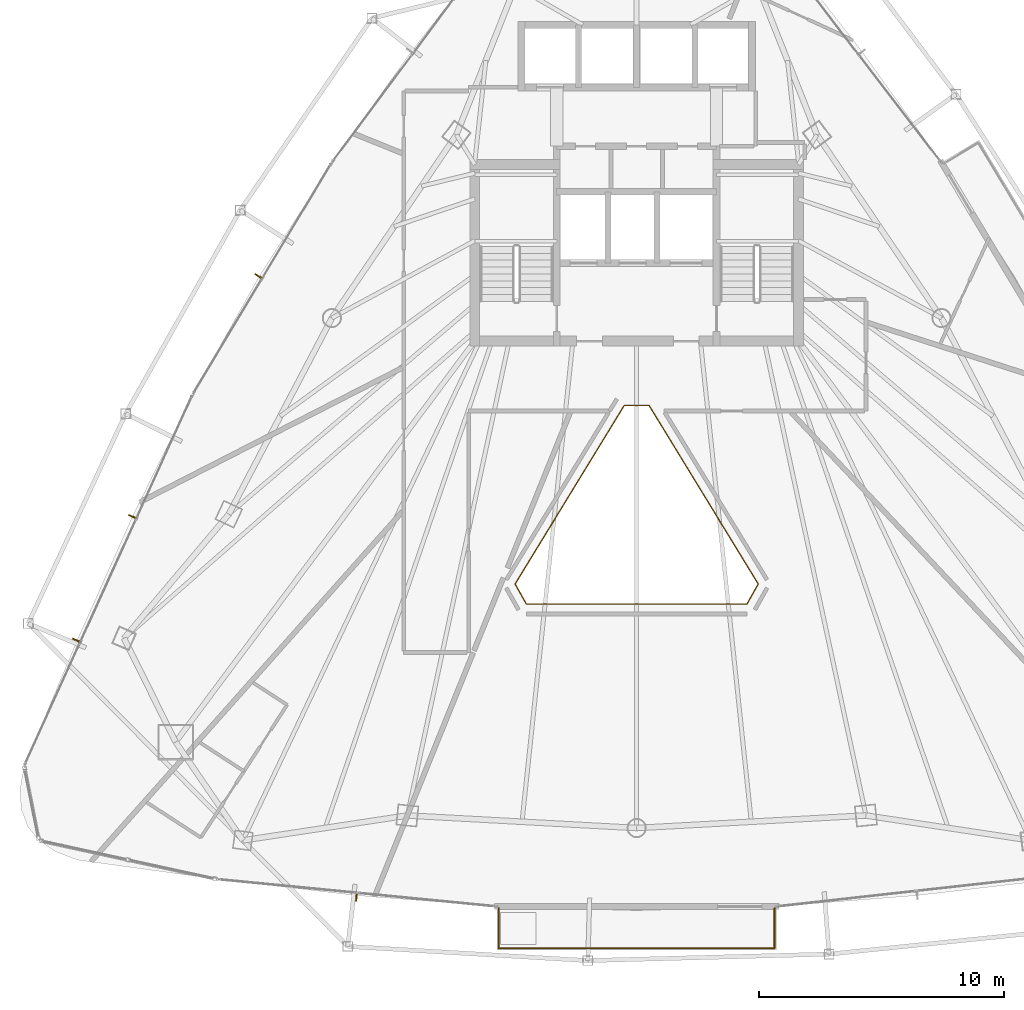
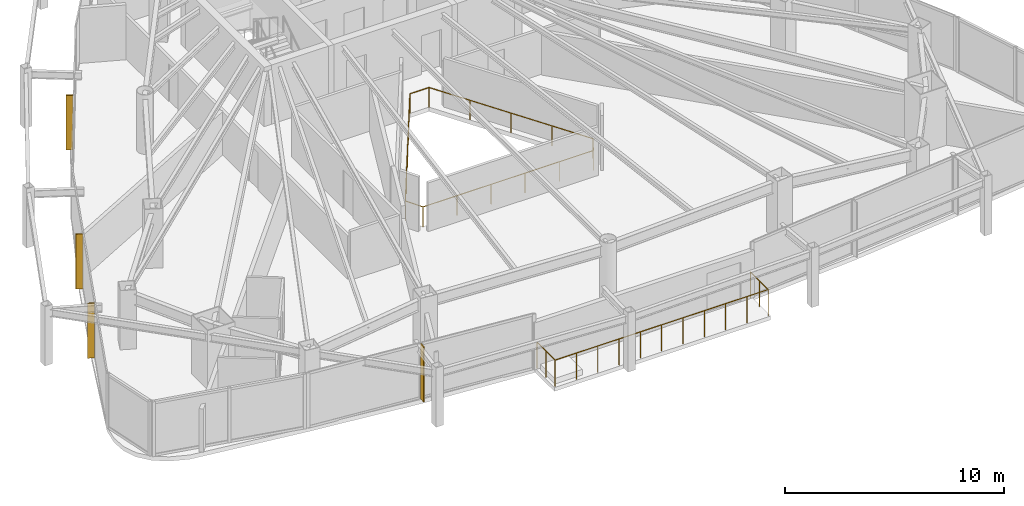
# One storey, part 29 of 31: 4 shading devices, 2 railings.
"""IFC4 building model written with IfcOpenShell, lengths in metres."""

from ifc_helpers import new_model, si_unit, direction, frame, origin, origin_2d, place, context, subcontext, project, spatial, rectangle, circle, extrude, material, layer, layer_set, type_object, element, save


model = new_model("IFC4")

# Units and contexts
model_context = context("Model", 3, precision=1e-05, world=origin(), true_north=direction((0.0, 1.0)))
body_context = subcontext(model_context, "Body", "Model", "MODEL_VIEW")
ifc_project = project(units=[si_unit("LENGTHUNIT", "METRE"), si_unit("AREAUNIT", "SQUARE_METRE"), si_unit("VOLUMEUNIT", "CUBIC_METRE"), si_unit("PLANEANGLEUNIT", "RADIAN"), si_unit("MASSUNIT", "GRAM", prefix="KILO")], contexts=[model_context])

# Site, building, storey
site_placement = place(None, origin())
site = spatial("IfcSite", under=ifc_project, at=site_placement, CompositionType="ELEMENT")
building_placement = place(site_placement, origin())
building = spatial("IfcBuilding", under=site, at=building_placement, Name="Orvanel Arch Residences", CompositionType="ELEMENT")
storey_placement = place(building_placement, frame((0.0, 0.0, 153.949951171875)))
storey = spatial("IfcBuildingStorey", under=building, at=storey_placement, Name="L43", CompositionType="ELEMENT", Elevation=153.949951171875)

# Shading devices
ifc_material = material(Name="Bronze-anodised aluminium AA6063-T6", Category="aluminium")
ifc_layer = layer(ifc_material, 0.054931640625)
ifc_layer_set = layer_set([ifc_layer], Name="Bronze-anodised aluminium AA6063-T6")
shading_device_type = type_object("IfcShadingDeviceType", Name="FIN-BRZ-320", PredefinedType="USERDEFINED", material=ifc_layer_set)
for number, where, z_axis, x_axis, name in (
    (1, (17.571044921875, 29.35302734375, 0.0), (0.0, 0.0, 1.0), (-0.857167300702, 0.51503807491, 0.0), "L43 Anodised Bronze Mullion FIN 01"),
    (2, (12.428955078125, 19.5458984375, 0.0), (0.0, 0.0, 1.0), (-0.910683660806, 0.413104429825, 0.0), "L43 Anodised Bronze Mullion FIN 01"),
    (3, (10.14111328125, 14.50390625, 0.0), (0.0, 0.0, 1.0), (-0.910683660806, 0.413104429825, 0.0), "L43 Anodised Bronze Mullion FIN 02"),
    (4, (21.572998046875, 4.010986328125, 0.0), (0.0, 0.0, 1.0), (-0.097582899759, -0.995227399982, 0.0), "L43 Anodised Bronze Mullion FIN 01"),
):
    element("IfcShadingDevice", number, at=place(storey_placement, frame(where, z_axis=z_axis, x_axis=x_axis)), inside=storey, type_object=shading_device_type, Name=name, ObjectType="FIN", PredefinedType="USERDEFINED", context=body_context, shape_type="SweptSolid", body=[
        extrude(rectangle(XDim=0.320068359375, YDim=0.054931640625, at=origin_2d()), origin(), (0.0, 0.0, 1.0), 3.06005859375),
    ])

# Railings
railing_type_1 = type_object("IfcRailingType", Name="RL-ATR-1120", PredefinedType="BALUSTRADE", material=ifc_material)
railing_1_placement = place(storey_placement, frame((33.501953125, 24.0791015625, 0.0)))
element("IfcRailing", 5, at=railing_1_placement, inside=storey, type_object=railing_type_1, Name="L43 Atrium Void Protective Balustrade", PredefinedType="BALUSTRADE", context=body_context, shape_type="SweptSolid", body=[
    extrude(circle(Radius=0.02392578125, at=origin_2d()), frame((-0.00146484375, 0.0, 1.09619140625), z_axis=(-1.0, 0.0, 0.0), x_axis=(0.0, -1.0, 0.0)), (0.0, 0.0, 1.0), 1.0009765625),
    extrude(circle(Radius=0.02392578125, at=origin_2d()), frame((-1.004638671875, -0.001220703125, 1.09619140625), z_axis=(-0.521561065456, -0.853213956168, 0.0), x_axis=(0.853213956168, -0.521561065456, 0.0)), (0.0, 0.0, 1.0), 8.533203125),
    extrude(circle(Radius=0.02392578125, at=origin_2d()), frame((-5.455322265625, -7.284423828125, 1.09619140625), z_axis=(0.489053619287, -0.8722537231, 0.0), x_axis=(0.8722537231, 0.489053619287, 0.0)), (0.0, 0.0, 1.0), 0.93798828125),
    extrude(circle(Radius=0.02392578125, at=origin_2d()), frame((-4.994384765625, -8.10400390625, 1.09619140625), z_axis=(1.0, 0.0, 0.0), x_axis=(0.0, 1.0, 0.0)), (0.0, 0.0, 1.0), 8.98388671875),
    extrude(circle(Radius=0.02392578125, at=origin_2d()), frame((3.99169921875, -8.102783203125, 1.09619140625), z_axis=(0.489842588528, 0.871810896046, 0.0), x_axis=(-0.871810896046, 0.489842588528, 0.0)), (0.0, 0.0, 1.0), 0.9384765625),
    extrude(circle(Radius=0.02392578125, at=origin_2d()), frame((4.451416015625, -7.281982421875, 1.09619140625), z_axis=(-0.521561065456, 0.853213956168, 0.0), x_axis=(-0.853213956168, -0.521561065456, 0.0)), (0.0, 0.0, 1.0), 8.533203125),
    extrude(circle(Radius=0.02099609375, at=origin_2d()), origin(), (0.0, 0.0, 1.0), 1.070068359375),
    extrude(circle(Radius=0.02099609375, at=origin_2d()), frame((-1.00390625, 0.0, 0.0)), (0.0, 0.0, 1.0), 1.070068359375),
    extrude(circle(Radius=0.02099609375, at=origin_2d()), frame((-2.116943359375, -1.82080078125, 0.0)), (0.0, 0.0, 1.0), 1.070068359375),
    extrude(circle(Radius=0.02099609375, at=origin_2d()), frame((-3.22998046875, -3.6416015625, 0.0)), (0.0, 0.0, 1.0), 1.070068359375),
    extrude(circle(Radius=0.02099609375, at=origin_2d()), frame((-4.343017578125, -5.46240234375, 0.0)), (0.0, 0.0, 1.0), 1.070068359375),
    extrude(circle(Radius=0.02099609375, at=origin_2d()), frame((-5.4560546875, -7.283203125, 0.0)), (0.0, 0.0, 1.0), 1.070068359375),
    extrude(circle(Radius=0.02099609375, at=origin_2d()), frame((-4.995849609375, -8.10400390625, 0.0)), (0.0, 0.0, 1.0), 1.070068359375),
    extrude(circle(Radius=0.02099609375, at=origin_2d()), frame((-3.198486328125, -8.10400390625, 0.0)), (0.0, 0.0, 1.0), 1.070068359375),
    extrude(circle(Radius=0.02099609375, at=origin_2d()), frame((-1.401123046875, -8.10400390625, 0.0)), (0.0, 0.0, 1.0), 1.070068359375),
    extrude(circle(Radius=0.02099609375, at=origin_2d()), frame((0.396240234375, -8.10400390625, 0.0)), (0.0, 0.0, 1.0), 1.070068359375),
    extrude(circle(Radius=0.02099609375, at=origin_2d()), frame((2.193603515625, -8.10400390625, 0.0)), (0.0, 0.0, 1.0), 1.070068359375),
    extrude(circle(Radius=0.02099609375, at=origin_2d()), frame((3.990966796875, -8.10400390625, 0.0)), (0.0, 0.0, 1.0), 1.070068359375),
    extrude(circle(Radius=0.02099609375, at=origin_2d()), frame((4.4521484375, -7.283203125, 0.0)), (0.0, 0.0, 1.0), 1.070068359375),
    extrude(circle(Radius=0.02099609375, at=origin_2d()), frame((3.339111328125, -5.46240234375, 0.0)), (0.0, 0.0, 1.0), 1.070068359375),
    extrude(circle(Radius=0.02099609375, at=origin_2d()), frame((2.22607421875, -3.6416015625, 0.0)), (0.0, 0.0, 1.0), 1.070068359375),
    extrude(circle(Radius=0.02099609375, at=origin_2d()), frame((1.113037109375, -1.82080078125, 0.0)), (0.0, 0.0, 1.0), 1.070068359375),
])
railing_type_2 = type_object("IfcRailingType", Name="RL-BAL-1480", PredefinedType="BALUSTRADE", material=ifc_material)
railing_2_placement = place(storey_placement, frame((27.3759765625, 3.5810546875, 0.0)))
element("IfcRailing", 6, at=railing_2_placement, inside=storey, type_object=railing_type_2, Name="L43 Balcony Perimeter Guardrail Face 2", PredefinedType="BALUSTRADE", context=body_context, shape_type="SweptSolid", body=[
    extrude(circle(Radius=0.02392578125, at=origin_2d()), frame((0.0, -0.00146484375, 1.4560546875), z_axis=(0.0, -1.0, 0.0), x_axis=(1.0, 0.0, 0.0)), (0.0, 0.0, 1.0), 1.63720703125),
    extrude(circle(Radius=0.02392578125, at=origin_2d()), frame((0.00146484375, -1.64013671875, 1.4560546875), z_axis=(1.0, 0.0, 0.0), x_axis=(0.0, 1.0, 0.0)), (0.0, 0.0, 1.0), 11.2451171875),
    extrude(circle(Radius=0.02392578125, at=origin_2d()), frame((11.248046875, -1.638671875, 1.4560546875), z_axis=(0.0, 1.0, 0.0), x_axis=(-1.0, 0.0, 0.0)), (0.0, 0.0, 1.0), 1.63720703125),
    extrude(circle(Radius=0.02099609375, at=origin_2d()), origin(), (0.0, 0.0, 1.0), 1.429931640625),
    extrude(circle(Radius=0.02099609375, at=origin_2d()), frame((0.0, -0.820068359375, 0.0)), (0.0, 0.0, 1.0), 1.429931640625),
    extrude(circle(Radius=0.02099609375, at=origin_2d()), frame((0.0, -1.64013671875, 0.0)), (0.0, 0.0, 1.0), 1.429931640625),
    extrude(circle(Radius=0.02099609375, at=origin_2d()), frame((1.124755859375, -1.64013671875, 0.0)), (0.0, 0.0, 1.0), 1.429931640625),
    extrude(circle(Radius=0.02099609375, at=origin_2d()), frame((2.24951171875, -1.64013671875, 0.0)), (0.0, 0.0, 1.0), 1.429931640625),
    extrude(circle(Radius=0.02099609375, at=origin_2d()), frame((3.37451171875, -1.64013671875, 0.0)), (0.0, 0.0, 1.0), 1.429931640625),
    extrude(circle(Radius=0.02099609375, at=origin_2d()), frame((4.499267578125, -1.64013671875, 0.0)), (0.0, 0.0, 1.0), 1.429931640625),
    extrude(circle(Radius=0.02099609375, at=origin_2d()), frame((5.6240234375, -1.64013671875, 0.0)), (0.0, 0.0, 1.0), 1.429931640625),
    extrude(circle(Radius=0.02099609375, at=origin_2d()), frame((6.748779296875, -1.64013671875, 0.0)), (0.0, 0.0, 1.0), 1.429931640625),
    extrude(circle(Radius=0.02099609375, at=origin_2d()), frame((7.87353515625, -1.64013671875, 0.0)), (0.0, 0.0, 1.0), 1.429931640625),
    extrude(circle(Radius=0.02099609375, at=origin_2d()), frame((8.99853515625, -1.64013671875, 0.0)), (0.0, 0.0, 1.0), 1.429931640625),
    extrude(circle(Radius=0.02099609375, at=origin_2d()), frame((10.123291015625, -1.64013671875, 0.0)), (0.0, 0.0, 1.0), 1.429931640625),
    extrude(circle(Radius=0.02099609375, at=origin_2d()), frame((11.248046875, -1.64013671875, 0.0)), (0.0, 0.0, 1.0), 1.429931640625),
    extrude(circle(Radius=0.02099609375, at=origin_2d()), frame((11.248046875, -0.820068359375, 0.0)), (0.0, 0.0, 1.0), 1.429931640625),
    extrude(circle(Radius=0.02099609375, at=origin_2d()), frame((11.248046875, 0.0, 0.0)), (0.0, 0.0, 1.0), 1.429931640625),
])

save(model, "model.ifc")
